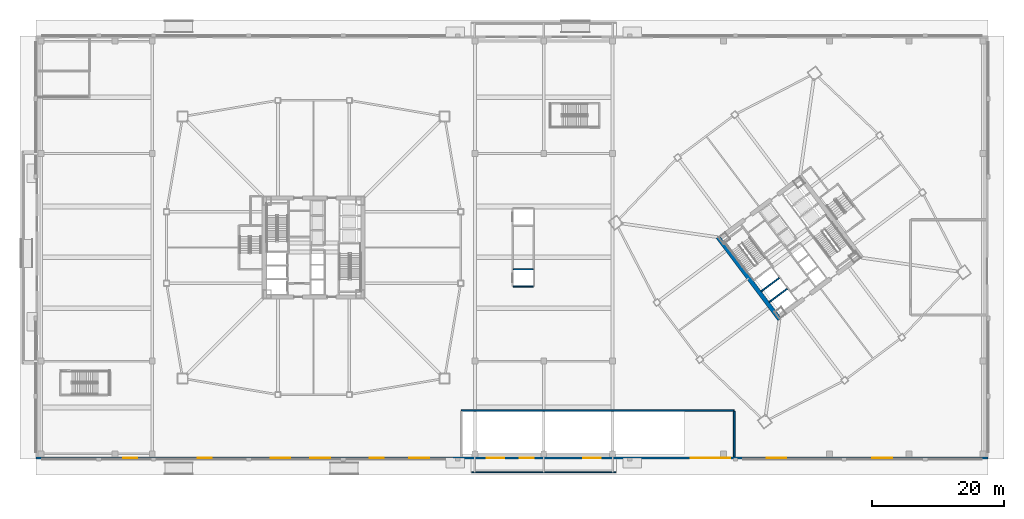
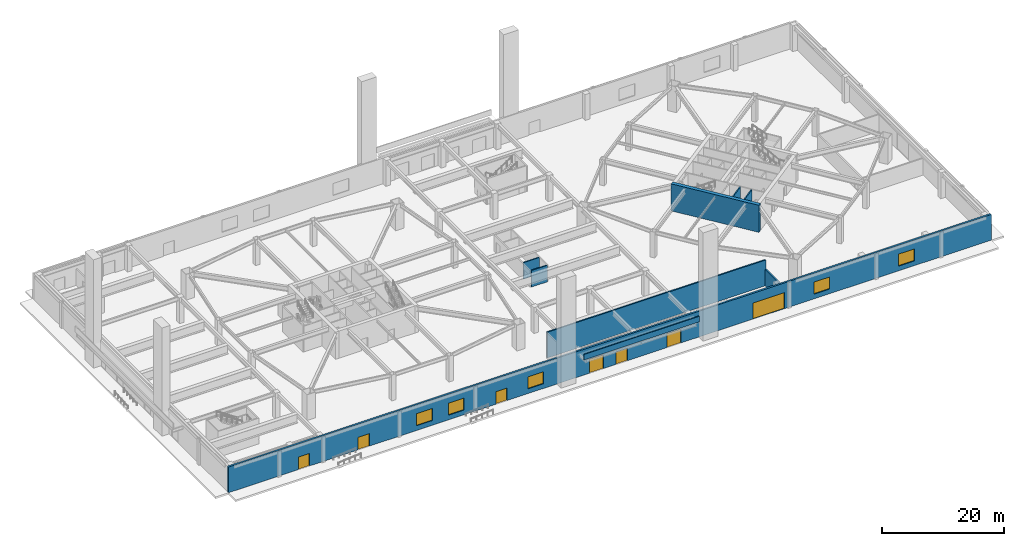
# One storey, part 10 of 26: 9 walls, 7 doors, 5 windows, 12 openings.
"""IFC4 building model written with IfcOpenShell, lengths in metres."""

from ifc_helpers import new_model, si_unit, direction, frame, frame_2d, origin, place, context, subcontext, project, spatial, rectangle, extrude, material, layer, layer_set, type_object, element, fill, save


model = new_model("IFC4")

# Units and contexts
model_context = context("Model", 3, precision=1e-05, world=origin(), true_north=direction((0.0, 1.0)))
body_context = subcontext(model_context, "Body", "Model", "MODEL_VIEW")
ifc_project = project(units=[si_unit("LENGTHUNIT", "METRE"), si_unit("AREAUNIT", "SQUARE_METRE"), si_unit("VOLUMEUNIT", "CUBIC_METRE"), si_unit("PLANEANGLEUNIT", "RADIAN"), si_unit("MASSUNIT", "GRAM", prefix="KILO")], contexts=[model_context])

# Site, building, storey
site_placement = place(None, origin())
site = spatial("IfcSite", under=ifc_project, at=site_placement, CompositionType="ELEMENT")
building_placement = place(site_placement, origin())
building = spatial("IfcBuilding", under=site, at=building_placement, Name="Tashvorn Skyway Center", CompositionType="ELEMENT")
storey_placement = place(building_placement, origin())
storey = spatial("IfcBuildingStorey", under=building, at=storey_placement, Name="L00", CompositionType="ELEMENT", Elevation=0.0)

# Wall
ifc_material_1 = material(Name="Concrete C60/75", Category="concrete")
ifc_layer_1 = layer(ifc_material_1, 0.64990234375)
ifc_layer_set_1 = layer_set([ifc_layer_1], Name="Concrete C60/75")
wall_type_1 = type_object("IfcWallType", Name="WALL-CORE-650", PredefinedType="SHEAR", material=ifc_layer_set_1)
wall_1_placement = place(storey_placement, frame((112.47607421875, 21.10693359375, 0.0), z_axis=(0.0, 0.0, 1.0), x_axis=(-0.600005007985, 0.799996243986, 0.0)))
element("IfcWall", 1, at=wall_1_placement, inside=storey, type_object=wall_type_1, Name="Tower 2 L00 West Core Shear Wall", PredefinedType="SHEAR", context=body_context, shape_type="SweptSolid", body=[
    extrude(rectangle(XDim=15.60009765625, YDim=0.64990234375, at=frame_2d((7.800048828125, 0.0))), origin(), (0.0, 0.0, 1.0), 5.39990234375),
])

# Wall, openings, doors, windows
ifc_material_2 = material(Name="Precast concrete C40/50", Category="concrete")
ifc_layer_2 = layer(ifc_material_2, 0.35009765625)
ifc_layer_set_2 = layer_set([ifc_layer_2], Name="Precast concrete C40/50")
wall_type_2 = type_object("IfcWallType", Name="WALL-EXT-350", PredefinedType="SOLIDWALL", material=ifc_layer_set_2)
wall_2_placement = place(storey_placement, frame((144.0, 0.175048828125, 0.0), z_axis=(0.0, 0.0, 1.0), x_axis=(-1.0, 0.0, 0.0)))
wall_2 = element("IfcWall", 2, at=wall_2_placement, inside=storey, type_object=wall_type_2, Name="L00 South Postmodern Precast Facade Wall", PredefinedType="SOLIDWALL", context=body_context, shape_type="SweptSolid", body=[
    extrude(rectangle(XDim=144.0, YDim=0.35009765625, at=frame_2d((72.0, 0.0))), origin(), (0.0, 0.0, 1.0), 5.139892578125),
])
opening_1_placement = place(wall_2_placement, frame((39.0, 0.0, 0.0)))
opening_1 = element("IfcOpeningElement", 3, at=opening_1_placement, cuts=wall_2, Name="Opening G-RAMP-01", PredefinedType="OPENING", context=body_context, shape_type="SweptSolid", body=[
    extrude(rectangle(XDim=6.0, YDim=3.199951171875, at=frame_2d((3.0, 1.60009765625))), frame((0.0, 0.18505859375, 0.0), z_axis=(0.0, -1.0, 0.0), x_axis=(1.0, 0.0, 0.0)), (0.0, 0.0, 1.0), 0.3701171875),
])
opening_2_placement = place(wall_2_placement, frame((73.199951171875, 0.0, 0.0)))
opening_2 = element("IfcOpeningElement", 4, at=opening_2_placement, cuts=wall_2, Name="Opening G-STN-2600", PredefinedType="OPENING", context=body_context, shape_type="SweptSolid", body=[
    extrude(rectangle(XDim=2.60009765625, YDim=2.75, at=frame_2d((1.300048828125, 1.375))), frame((0.0, 0.18505859375, 0.0), z_axis=(0.0, -1.0, 0.0), x_axis=(1.0, 0.0, 0.0)), (0.0, 0.0, 1.0), 0.3701171875),
])
opening_3_placement = place(wall_2_placement, frame((58.60009765625, 0.0, 0.0)))
opening_3 = element("IfcOpeningElement", 5, at=opening_3_placement, cuts=wall_2, Name="Opening G-STN-2600", PredefinedType="OPENING", context=body_context, shape_type="SweptSolid", body=[
    extrude(rectangle(XDim=2.60009765625, YDim=2.75, at=frame_2d((1.300048828125, 1.375))), frame((0.0, 0.18505859375, 0.0), z_axis=(0.0, -1.0, 0.0), x_axis=(1.0, 0.0, 0.0)), (0.0, 0.0, 1.0), 0.3701171875),
])
opening_4_placement = place(wall_2_placement, frame((128.699951171875, 0.0, 0.0)))
opening_4 = element("IfcOpeningElement", 6, at=opening_4_placement, cuts=wall_2, Name="Opening D-EXT-2100", PredefinedType="OPENING", context=body_context, shape_type="SweptSolid", body=[
    extrude(rectangle(XDim=2.10009765625, YDim=2.5, at=frame_2d((1.050048828125, 1.25))), frame((0.0, 0.18505859375, 0.0), z_axis=(0.0, -1.0, 0.0), x_axis=(1.0, 0.0, 0.0)), (0.0, 0.0, 1.0), 0.3701171875),
])
opening_5_placement = place(wall_2_placement, frame((117.39990234375, 0.0, 0.0)))
opening_5 = element("IfcOpeningElement", 7, at=opening_5_placement, cuts=wall_2, Name="Opening D-EXT-2100", PredefinedType="OPENING", context=body_context, shape_type="SweptSolid", body=[
    extrude(rectangle(XDim=2.10009765625, YDim=2.5, at=frame_2d((1.050048828125, 1.25))), frame((0.0, 0.18505859375, 0.0), z_axis=(0.0, -1.0, 0.0), x_axis=(1.0, 0.0, 0.0)), (0.0, 0.0, 1.0), 0.3701171875),
])
opening_6_placement = place(wall_2_placement, frame((91.39990234375, 0.0, 0.0)))
opening_6 = element("IfcOpeningElement", 8, at=opening_6_placement, cuts=wall_2, Name="Opening D-EXT-2100", PredefinedType="OPENING", context=body_context, shape_type="SweptSolid", body=[
    extrude(rectangle(XDim=2.10009765625, YDim=2.5, at=frame_2d((1.050048828125, 1.25))), frame((0.0, 0.18505859375, 0.0), z_axis=(0.0, -1.0, 0.0), x_axis=(1.0, 0.0, 0.0)), (0.0, 0.0, 1.0), 0.3701171875),
])
opening_7_placement = place(wall_2_placement, frame((68.699951171875, 0.0, 0.0)))
opening_7 = element("IfcOpeningElement", 9, at=opening_7_placement, cuts=wall_2, Name="Opening D-EXT-2100", PredefinedType="OPENING", context=body_context, shape_type="SweptSolid", body=[
    extrude(rectangle(XDim=2.10009765625, YDim=2.5, at=frame_2d((1.050048828125, 1.25))), frame((0.0, 0.18505859375, 0.0), z_axis=(0.0, -1.0, 0.0), x_axis=(1.0, 0.0, 0.0)), (0.0, 0.0, 1.0), 0.3701171875),
])
opening_8_placement = place(wall_2_placement, frame((105.5, 0.0, 0.949951171875)))
opening_8 = element("IfcOpeningElement", 10, at=opening_8_placement, cuts=wall_2, Name="Opening WIN-3000", PredefinedType="OPENING", context=body_context, shape_type="SweptSolid", body=[
    extrude(rectangle(XDim=3.0, YDim=2.39990234375, at=frame_2d((1.5, 1.199951171875))), frame((0.0, 0.18505859375, 0.0), z_axis=(0.0, -1.0, 0.0), x_axis=(1.0, 0.0, 0.0)), (0.0, 0.0, 1.0), 0.3701171875),
])
opening_9_placement = place(wall_2_placement, frame((99.5, 0.0, 0.949951171875)))
opening_9 = element("IfcOpeningElement", 11, at=opening_9_placement, cuts=wall_2, Name="Opening WIN-3000", PredefinedType="OPENING", context=body_context, shape_type="SweptSolid", body=[
    extrude(rectangle(XDim=3.0, YDim=2.39990234375, at=frame_2d((1.5, 1.199951171875))), frame((0.0, 0.18505859375, 0.0), z_axis=(0.0, -1.0, 0.0), x_axis=(1.0, 0.0, 0.0)), (0.0, 0.0, 1.0), 0.3701171875),
])
opening_10_placement = place(wall_2_placement, frame((84.5, 0.0, 0.949951171875)))
opening_10 = element("IfcOpeningElement", 12, at=opening_10_placement, cuts=wall_2, Name="Opening WIN-3000", PredefinedType="OPENING", context=body_context, shape_type="SweptSolid", body=[
    extrude(rectangle(XDim=3.0, YDim=2.39990234375, at=frame_2d((1.5, 1.199951171875))), frame((0.0, 0.18505859375, 0.0), z_axis=(0.0, -1.0, 0.0), x_axis=(1.0, 0.0, 0.0)), (0.0, 0.0, 1.0), 0.3701171875),
])
opening_11_placement = place(wall_2_placement, frame((30.5, 0.0, 0.949951171875)))
opening_11 = element("IfcOpeningElement", 13, at=opening_11_placement, cuts=wall_2, Name="Opening WIN-3000", PredefinedType="OPENING", context=body_context, shape_type="SweptSolid", body=[
    extrude(rectangle(XDim=3.0, YDim=2.39990234375, at=frame_2d((1.5, 1.199951171875))), frame((0.0, 0.18505859375, 0.0), z_axis=(0.0, -1.0, 0.0), x_axis=(1.0, 0.0, 0.0)), (0.0, 0.0, 1.0), 0.3701171875),
])
opening_12_placement = place(wall_2_placement, frame((14.5, 0.0, 0.949951171875)))
opening_12 = element("IfcOpeningElement", 14, at=opening_12_placement, cuts=wall_2, Name="Opening WIN-3000", PredefinedType="OPENING", context=body_context, shape_type="SweptSolid", body=[
    extrude(rectangle(XDim=3.0, YDim=2.39990234375, at=frame_2d((1.5, 1.199951171875))), frame((0.0, 0.18505859375, 0.0), z_axis=(0.0, -1.0, 0.0), x_axis=(1.0, 0.0, 0.0)), (0.0, 0.0, 1.0), 0.3701171875),
])
ifc_material_3 = material(Name="Thermally broken bronze-anodized aluminium 6063-T6", Category="aluminium")
door_type_1 = type_object("IfcDoorType", Name="DOOR-EXT-2100", OperationType="DOUBLE_DOOR_SINGLE_SWING", PredefinedType="DOOR", material=ifc_material_3)
door_1_placement = place(opening_4_placement, origin())
door_1 = element("IfcDoor", 15, at=door_1_placement, inside=storey, type_object=door_type_1, Name="L00 South Boulevard Final Exit Discharge Door S1", OperationType="DOUBLE_DOOR_SINGLE_SWING", OverallHeight=2.5, OverallWidth=2.10009765625, PredefinedType="DOOR", context=body_context, shape_type="SweptSolid", body=[
    extrude(rectangle(XDim=2.10009765625, YDim=2.5, at=frame_2d((1.050048828125, 1.25))), frame((0.0, 0.02490234375, 0.0), z_axis=(0.0, -1.0, 0.0), x_axis=(1.0, 0.0, 0.0)), (0.0, 0.0, 1.0), 0.050048828125),
])
fill(opening_4, door_1)
door_2_placement = place(opening_5_placement, origin())
door_2 = element("IfcDoor", 16, at=door_2_placement, inside=storey, type_object=door_type_1, Name="L00 South Boulevard Final Exit Discharge Door S2", OperationType="DOUBLE_DOOR_SINGLE_SWING", OverallHeight=2.5, OverallWidth=2.10009765625, PredefinedType="DOOR", context=body_context, shape_type="SweptSolid", body=[
    extrude(rectangle(XDim=2.10009765625, YDim=2.5, at=frame_2d((1.050048828125, 1.25))), frame((0.0, 0.02490234375, 0.0), z_axis=(0.0, -1.0, 0.0), x_axis=(1.0, 0.0, 0.0)), (0.0, 0.0, 1.0), 0.050048828125),
])
fill(opening_5, door_2)
door_3_placement = place(opening_6_placement, origin())
door_3 = element("IfcDoor", 17, at=door_3_placement, inside=storey, type_object=door_type_1, Name="L00 South Boulevard Final Exit Discharge Door S3", OperationType="DOUBLE_DOOR_SINGLE_SWING", OverallHeight=2.5, OverallWidth=2.10009765625, PredefinedType="DOOR", context=body_context, shape_type="SweptSolid", body=[
    extrude(rectangle(XDim=2.10009765625, YDim=2.5, at=frame_2d((1.050048828125, 1.25))), frame((0.0, 0.02490234375, 0.0), z_axis=(0.0, -1.0, 0.0), x_axis=(1.0, 0.0, 0.0)), (0.0, 0.0, 1.0), 0.050048828125),
])
fill(opening_6, door_3)
door_4_placement = place(opening_7_placement, origin())
door_4 = element("IfcDoor", 18, at=door_4_placement, inside=storey, type_object=door_type_1, Name="L00 South Boulevard Final Exit Discharge Door S4", OperationType="DOUBLE_DOOR_SINGLE_SWING", OverallHeight=2.5, OverallWidth=2.10009765625, PredefinedType="DOOR", context=body_context, shape_type="SweptSolid", body=[
    extrude(rectangle(XDim=2.10009765625, YDim=2.5, at=frame_2d((1.050048828125, 1.25))), frame((0.0, 0.02490234375, 0.0), z_axis=(0.0, -1.0, 0.0), x_axis=(1.0, 0.0, 0.0)), (0.0, 0.0, 1.0), 0.050048828125),
])
fill(opening_7, door_4)
ifc_material_4 = material(Name="Galvanized steel S355", Category="steel")
door_type_2 = type_object("IfcDoorType", Name="GATE-CONC-2600", OperationType="ROLLINGUP", PredefinedType="GATE", material=ifc_material_4)
door_5_placement = place(opening_2_placement, origin())
door_5 = element("IfcDoor", 19, at=door_5_placement, inside=storey, type_object=door_type_2, Name="Station Concourse South Portal Gate 1", OperationType="ROLLINGUP", OverallHeight=2.75, OverallWidth=2.60009765625, PredefinedType="GATE", context=body_context, shape_type="SweptSolid", body=[
    extrude(rectangle(XDim=2.60009765625, YDim=2.75, at=frame_2d((1.300048828125, 1.375))), frame((0.0, 0.02490234375, 0.0), z_axis=(0.0, -1.0, 0.0), x_axis=(1.0, 0.0, 0.0)), (0.0, 0.0, 1.0), 0.050048828125),
])
fill(opening_2, door_5)
door_6_placement = place(opening_3_placement, origin())
door_6 = element("IfcDoor", 20, at=door_6_placement, inside=storey, type_object=door_type_2, Name="Station Concourse South Portal Gate 2", OperationType="ROLLINGUP", OverallHeight=2.75, OverallWidth=2.60009765625, PredefinedType="GATE", context=body_context, shape_type="SweptSolid", body=[
    extrude(rectangle(XDim=2.60009765625, YDim=2.75, at=frame_2d((1.300048828125, 1.375))), frame((0.0, 0.02490234375, 0.0), z_axis=(0.0, -1.0, 0.0), x_axis=(1.0, 0.0, 0.0)), (0.0, 0.0, 1.0), 0.050048828125),
])
fill(opening_3, door_6)
door_type_3 = type_object("IfcDoorType", Name="GATE-RAMP-6000", OperationType="ROLLINGUP", PredefinedType="GATE", material=ifc_material_4)
door_7_placement = place(opening_1_placement, origin())
door_7 = element("IfcDoor", 21, at=door_7_placement, inside=storey, type_object=door_type_3, Name="Car Park Vehicle Ramp Roller Shutter Gate G-RAMP-01", OperationType="ROLLINGUP", OverallHeight=3.199951171875, OverallWidth=6.0, PredefinedType="GATE", context=body_context, shape_type="SweptSolid", body=[
    extrude(rectangle(XDim=6.0, YDim=3.199951171875, at=frame_2d((3.0, 1.60009765625))), frame((0.0, 0.02490234375, 0.0), z_axis=(0.0, -1.0, 0.0), x_axis=(1.0, 0.0, 0.0)), (0.0, 0.0, 1.0), 0.050048828125),
])
fill(opening_1, door_7)
ifc_material_5 = material(Name="Low-E solar-control double insulating safety glass", Category="glass")
window_type = type_object("IfcWindowType", Name="WIN-POD-3000", PartitioningType="SINGLE_PANEL", PredefinedType="WINDOW", material=ifc_material_5)
window_1_placement = place(opening_8_placement, origin())
window_1 = element("IfcWindow", 22, at=window_1_placement, inside=storey, type_object=window_type, Name="L00 South Podium Window 01", OverallHeight=2.39990234375, OverallWidth=3.0, PartitioningType="SINGLE_PANEL", PredefinedType="WINDOW", context=body_context, shape_type="SweptSolid", body=[
    extrude(rectangle(XDim=3.0, YDim=2.39990234375, at=frame_2d((1.5, 1.199951171875))), frame((0.0, 0.030029296875, 0.0), z_axis=(0.0, -1.0, 0.0), x_axis=(1.0, 0.0, 0.0)), (0.0, 0.0, 1.0), 0.06005859375),
])
fill(opening_8, window_1)
window_2_placement = place(opening_9_placement, origin())
window_2 = element("IfcWindow", 23, at=window_2_placement, inside=storey, type_object=window_type, Name="L00 South Podium Window 02", OverallHeight=2.39990234375, OverallWidth=3.0, PartitioningType="SINGLE_PANEL", PredefinedType="WINDOW", context=body_context, shape_type="SweptSolid", body=[
    extrude(rectangle(XDim=3.0, YDim=2.39990234375, at=frame_2d((1.5, 1.199951171875))), frame((0.0, 0.030029296875, 0.0), z_axis=(0.0, -1.0, 0.0), x_axis=(1.0, 0.0, 0.0)), (0.0, 0.0, 1.0), 0.06005859375),
])
fill(opening_9, window_2)
window_3_placement = place(opening_10_placement, origin())
window_3 = element("IfcWindow", 24, at=window_3_placement, inside=storey, type_object=window_type, Name="L00 South Podium Window 03", OverallHeight=2.39990234375, OverallWidth=3.0, PartitioningType="SINGLE_PANEL", PredefinedType="WINDOW", context=body_context, shape_type="SweptSolid", body=[
    extrude(rectangle(XDim=3.0, YDim=2.39990234375, at=frame_2d((1.5, 1.199951171875))), frame((0.0, 0.030029296875, 0.0), z_axis=(0.0, -1.0, 0.0), x_axis=(1.0, 0.0, 0.0)), (0.0, 0.0, 1.0), 0.06005859375),
])
fill(opening_10, window_3)
window_4_placement = place(opening_11_placement, origin())
window_4 = element("IfcWindow", 25, at=window_4_placement, inside=storey, type_object=window_type, Name="L00 South Podium Window 04", OverallHeight=2.39990234375, OverallWidth=3.0, PartitioningType="SINGLE_PANEL", PredefinedType="WINDOW", context=body_context, shape_type="SweptSolid", body=[
    extrude(rectangle(XDim=3.0, YDim=2.39990234375, at=frame_2d((1.5, 1.199951171875))), frame((0.0, 0.030029296875, 0.0), z_axis=(0.0, -1.0, 0.0), x_axis=(1.0, 0.0, 0.0)), (0.0, 0.0, 1.0), 0.06005859375),
])
fill(opening_11, window_4)
window_5_placement = place(opening_12_placement, origin())
window_5 = element("IfcWindow", 26, at=window_5_placement, inside=storey, type_object=window_type, Name="L00 South Podium Window 05", OverallHeight=2.39990234375, OverallWidth=3.0, PartitioningType="SINGLE_PANEL", PredefinedType="WINDOW", context=body_context, shape_type="SweptSolid", body=[
    extrude(rectangle(XDim=3.0, YDim=2.39990234375, at=frame_2d((1.5, 1.199951171875))), frame((0.0, 0.030029296875, 0.0), z_axis=(0.0, -1.0, 0.0), x_axis=(1.0, 0.0, 0.0)), (0.0, 0.0, 1.0), 0.06005859375),
])
fill(opening_12, window_5)

# Walls
ifc_layer_3 = layer(ifc_material_2, 0.18994140625)
ifc_layer_set_3 = layer_set([ifc_layer_3], Name="Precast concrete C40/50")
wall_type_3 = type_object("IfcWallType", Name="WALL-PARA-190", PredefinedType="PARAPET", material=ifc_layer_set_3)
wall_3_placement = place(storey_placement, frame((87.699951171875, -2.0, 4.699951171875), z_axis=(0.0, 0.0, 1.0), x_axis=(-1.0, 0.0, 0.0)))
element("IfcWall", 27, at=wall_3_placement, inside=storey, type_object=wall_type_3, Name="South Station Canopy Fascia Parapet", PredefinedType="PARAPET", context=body_context, shape_type="SweptSolid", body=[
    extrude(rectangle(XDim=21.800048828125, YDim=0.18994140625, at=frame_2d((10.89990234375, 0.0))), origin(), (0.0, 0.0, 1.0), 1.10009765625),
])
ifc_material_6 = material(Name="Concrete C40/50", Category="concrete")
ifc_layer_4 = layer(ifc_material_6, 0.199951171875)
ifc_layer_set_4 = layer_set([ifc_layer_4], Name="Concrete C40/50")
wall_type_4 = type_object("IfcWallType", Name="WALL-SHAFT-200", PredefinedType="SOLIDWALL", material=ifc_layer_set_4)
for number, where, z_axis, x_axis, name in (
    (28, (110.906005859375, 23.741943359375, 0.0), (0.0, 0.0, 1.0), (0.8, 0.6, 0.0), "Tower 2 L00 FSAE Shaft Divider"),
    (29, (109.68798828125, 25.365966796875, 0.0), (0.0, 0.0, 1.0), (0.8, 0.6, 0.0), "Tower 2 L00 FSAE Shaft Divider"),
):
    element("IfcWall", number, at=place(storey_placement, frame(where, z_axis=z_axis, x_axis=x_axis)), inside=storey, type_object=wall_type_4, Name=name, PredefinedType="SOLIDWALL", context=body_context, shape_type="SweptSolid", body=[
        extrude(rectangle(XDim=3.380126953125, YDim=0.199951171875, at=frame_2d((1.68994140625, 0.0))), origin(), (0.0, 0.0, 1.0), 5.139892578125),
    ])
for number, where, z_axis, x_axis, name in (
    (30, (72.199951171875, 26.10009765625, 0.0), (0.0, 0.0, 1.0), (1.0, 0.0, 0.0), "L00 Station Lift Divider"),
    (31, (72.199951171875, 28.699951171875, 0.0), (0.0, 0.0, 1.0), (1.0, 0.0, 0.0), "L00 Station Lift Divider"),
):
    element("IfcWall", number, at=place(storey_placement, frame(where, z_axis=z_axis, x_axis=x_axis)), inside=storey, type_object=wall_type_4, Name=name, PredefinedType="SOLIDWALL", context=body_context, shape_type="SweptSolid", body=[
        extrude(rectangle(XDim=3.0, YDim=0.199951171875, at=frame_2d((1.5, 0.0))), origin(), (0.0, 0.0, 1.0), 3.31005859375),
    ])
ifc_layer_5 = layer(ifc_material_6, 0.25)
ifc_layer_set_5 = layer_set([ifc_layer_5], Name="Concrete C40/50")
wall_type_5 = type_object("IfcWallType", Name="WALL-SHAFT-250", PredefinedType="SOLIDWALL", material=ifc_layer_set_5)
wall_4_placement = place(storey_placement, frame((64.35009765625, 7.330078125, 0.0), z_axis=(0.0, 0.0, 1.0), x_axis=(1.0, 0.0, 0.0)))
element("IfcWall", 32, at=wall_4_placement, inside=storey, type_object=wall_type_5, Name="L00 Vehicle Ramp Well North Fire Wall", PredefinedType="SOLIDWALL", context=body_context, shape_type="SweptSolid", body=[
    extrude(rectangle(XDim=41.25, YDim=0.25, at=frame_2d((20.625, 0.0))), origin(), (0.0, 0.0, 1.0), 5.139892578125),
])
wall_5_placement = place(storey_placement, frame((105.60009765625, 0.35009765625, 0.0), z_axis=(0.0, 0.0, 1.0), x_axis=(0.0, 1.0, 0.0)))
element("IfcWall", 33, at=wall_5_placement, inside=storey, type_object=wall_type_5, Name="L00 Vehicle Ramp Driveway East Fire Wall", PredefinedType="SOLIDWALL", context=body_context, shape_type="SweptSolid", body=[
    extrude(rectangle(XDim=6.849853515625, YDim=0.25, at=frame_2d((3.4248046875, 0.0))), origin(), (0.0, 0.0, 1.0), 3.31005859375),
])

save(model, "model.ifc")
